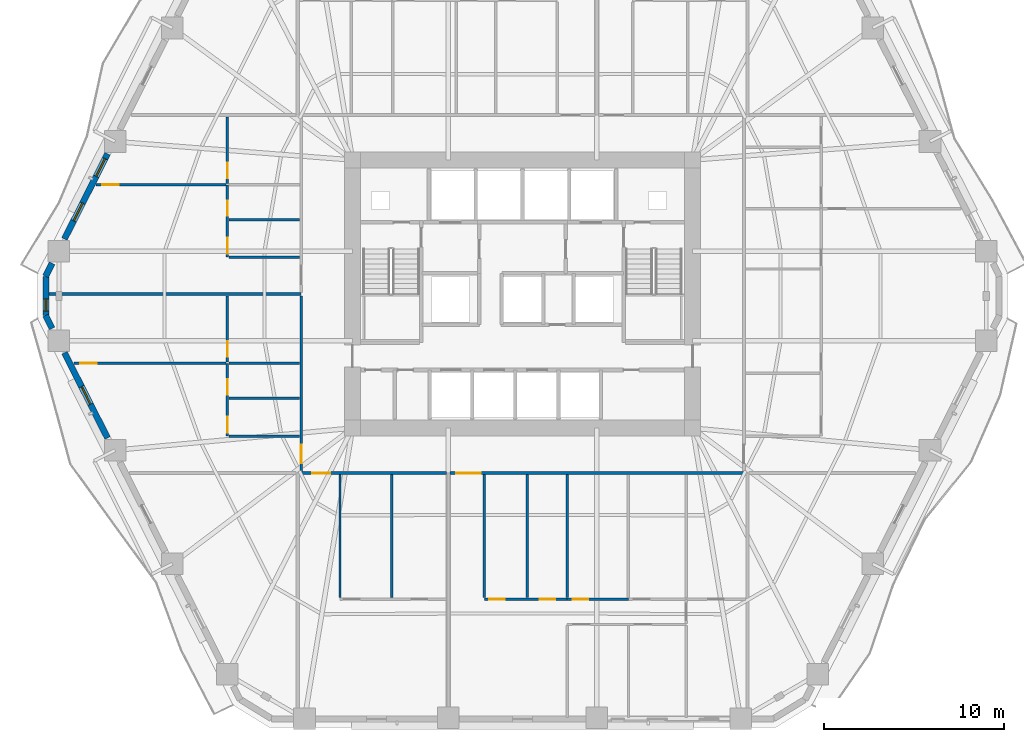
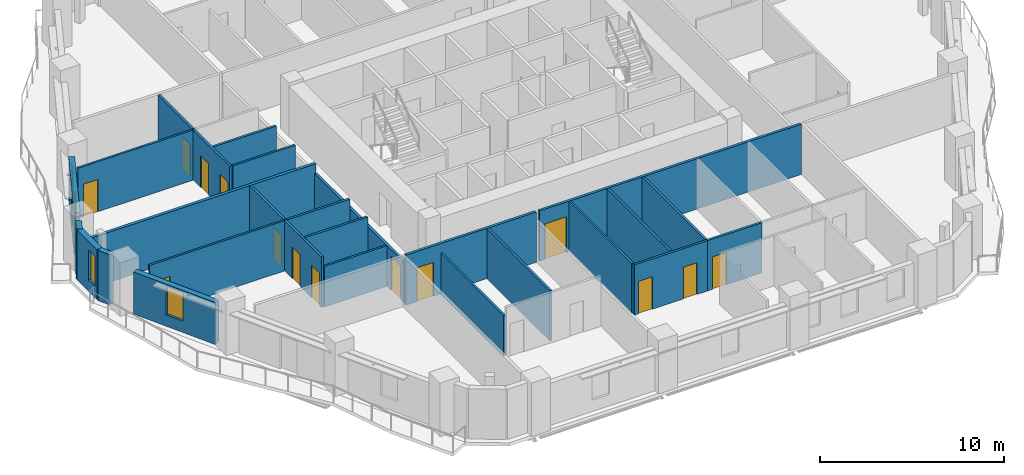
# One storey, part 4 of 14: 27 walls, 14 doors, 4 windows, 18 openings.
"""IFC4 building model written with IfcOpenShell, lengths in metres."""

from ifc_helpers import new_model, si_unit, direction, frame, frame_2d, origin, place, context, subcontext, project, spatial, rectangle, extrude, material, layer, layer_set, type_object, element, fill, save


model = new_model("IFC4")

# Units and contexts
model_context = context("Model", 3, precision=1e-05, world=origin(), true_north=direction((0.0, 1.0)))
body_context = subcontext(model_context, "Body", "Model", "MODEL_VIEW")
ifc_project = project(units=[si_unit("LENGTHUNIT", "METRE"), si_unit("AREAUNIT", "SQUARE_METRE"), si_unit("VOLUMEUNIT", "CUBIC_METRE"), si_unit("PLANEANGLEUNIT", "RADIAN"), si_unit("MASSUNIT", "GRAM", prefix="KILO")], contexts=[model_context])

# Site, building, storey
site_placement = place(None, origin())
site = spatial("IfcSite", under=ifc_project, at=site_placement, CompositionType="ELEMENT")
building_placement = place(site_placement, origin())
building = spatial("IfcBuilding", under=site, at=building_placement, Name="Cinnabar Lancet Tower", CompositionType="ELEMENT")
storey_placement = place(building_placement, frame((0.0, 0.0, 35.550048828125)))
storey = spatial("IfcBuildingStorey", under=building, at=storey_placement, Name="L08", CompositionType="ELEMENT", Elevation=35.550048828125)

# Wall, opening, door
ifc_material_1 = material(Name="Acoustic twin-stud gypsum partition", Category="gypsum")
ifc_layer_1 = layer(ifc_material_1, 0.159912109375)
ifc_layer_set_1 = layer_set([ifc_layer_1], Name="Acoustic twin-stud gypsum partition")
wall_type_1 = type_object("IfcWallType", Name="ARC-WL-CORR-160", PredefinedType="PARTITIONING", material=ifc_layer_set_1)
wall_1_placement = place(storey_placement, frame((19.9951171875, 15.949951171875, 0.0), z_axis=(0.0, 0.0, 1.0), x_axis=(1.0, 0.0, 0.0)))
wall_1 = element("IfcWall", 1, at=wall_1_placement, inside=storey, type_object=wall_type_1, Name="L08 Unit S01 Corridor Wall", PredefinedType="PARTITIONING", context=body_context, shape_type="SweptSolid", body=[
    extrude(rectangle(XDim=8.18798828125, YDim=0.159912109375, at=frame_2d((4.093994140625, 0.0))), origin(), (0.0, 0.0, 1.0), 3.329833984375),
])
opening_1_placement = place(wall_1_placement, frame((0.705078125, 0.0, 0.0)))
opening_1 = element("IfcOpeningElement", 2, at=opening_1_placement, cuts=wall_1, Name="Opening UD-01", PredefinedType="OPENING", context=body_context, shape_type="SweptSolid", body=[
    extrude(rectangle(XDim=1.02001953125, YDim=2.25, at=frame_2d((0.510009765625, 1.125))), frame((0.0, 0.08984375, 0.0), z_axis=(0.0, -1.0, 0.0), x_axis=(1.0, 0.0, 0.0)), (0.0, 0.0, 1.0), 0.179931640625),
])
ifc_material_2 = material(Name="Solid timber fire-rated apartment entrance door", Category="wood")
door_type_1 = type_object("IfcDoorType", Name="ARC-DR-UNIT", OperationType="NOTDEFINED", PredefinedType="DOOR", material=ifc_material_2)
door_1_placement = place(opening_1_placement, origin())
door_1 = element("IfcDoor", 3, at=door_1_placement, inside=storey, type_object=door_type_1, Name="DR-L08-S01-ENT", OperationType="SINGLE_SWING_RIGHT", OverallHeight=2.25, OverallWidth=1.02001953125, PredefinedType="DOOR", context=body_context, shape_type="SweptSolid", body=[
    extrude(rectangle(XDim=1.02001953125, YDim=2.25, at=frame_2d((0.510009765625, 1.125))), frame((0.0, 0.02490234375, 0.0), z_axis=(0.0, -1.0, 0.0), x_axis=(1.0, 0.0, 0.0)), (0.0, 0.0, 1.0), 0.050048828125),
])
fill(opening_1, door_1)

wall_2_placement = place(storey_placement, frame((28.373046875, 15.949951171875, 0.0), z_axis=(0.0, 0.0, 1.0), x_axis=(1.0, 0.0, 0.0)))
wall_2 = element("IfcWall", 4, at=wall_2_placement, inside=storey, type_object=wall_type_1, Name="L08 Unit S02 Corridor Wall", PredefinedType="PARTITIONING", context=body_context, shape_type="SweptSolid", body=[
    extrude(rectangle(XDim=16.431884765625, YDim=0.159912109375, at=frame_2d((8.2158203125, 0.0))), origin(), (0.0, 0.0, 1.0), 3.329833984375),
])
opening_2_placement = place(wall_2_placement, frame((0.35498046875, 0.0, 0.0)))
opening_2 = element("IfcOpeningElement", 5, at=opening_2_placement, cuts=wall_2, Name="Opening UD-02", PredefinedType="OPENING", context=body_context, shape_type="SweptSolid", body=[
    extrude(rectangle(XDim=1.35009765625, YDim=2.35009765625, at=frame_2d((0.675048828125, 1.175048828125))), frame((0.0, 0.08984375, 0.0), z_axis=(0.0, -1.0, 0.0), x_axis=(1.0, 0.0, 0.0)), (0.0, 0.0, 1.0), 0.179931640625),
])
ifc_material_3 = material(Name="Double-leaf solid timber penthouse entrance door", Category="wood")
door_type_2 = type_object("IfcDoorType", Name="ARC-DR-UNIT-PH", OperationType="NOTDEFINED", PredefinedType="DOOR", material=ifc_material_3)
door_2_placement = place(opening_2_placement, origin())
door_2 = element("IfcDoor", 6, at=door_2_placement, inside=storey, type_object=door_type_2, Name="DR-L08-S02-ENT", OperationType="SINGLE_SWING_LEFT", OverallHeight=2.35009765625, OverallWidth=1.35009765625, PredefinedType="DOOR", context=body_context, shape_type="SweptSolid", body=[
    extrude(rectangle(XDim=1.35009765625, YDim=2.35009765625, at=frame_2d((0.675048828125, 1.175048828125))), frame((0.0, 0.02490234375, 0.0), z_axis=(0.0, -1.0, 0.0), x_axis=(1.0, 0.0, 0.0)), (0.0, 0.0, 1.0), 0.050048828125),
])
fill(opening_2, door_2)

wall_3_placement = place(storey_placement, frame((20.10009765625, 16.044921875, 0.0), z_axis=(0.0, 0.0, 1.0), x_axis=(0.0, 1.0, 0.0)))
wall_3 = element("IfcWall", 7, at=wall_3_placement, inside=storey, type_object=wall_type_1, Name="UW-L08-W01-COR", PredefinedType="PARTITIONING", context=body_context, shape_type="SweptSolid", body=[
    extrude(rectangle(XDim=9.760009765625, YDim=0.159912109375, at=frame_2d((4.8798828125, 0.0))), origin(), (0.0, 0.0, 1.0), 2.699951171875),
])
opening_3_placement = place(wall_3_placement, frame((0.449951171875, 0.0, 0.0)))
opening_3 = element("IfcOpeningElement", 8, at=opening_3_placement, cuts=wall_3, Name="Opening UD-01", PredefinedType="OPENING", context=body_context, shape_type="SweptSolid", body=[
    extrude(rectangle(XDim=1.02001953125, YDim=2.25, at=frame_2d((0.510009765625, 1.125))), frame((0.0, 0.08984375, 0.0), z_axis=(0.0, -1.0, 0.0), x_axis=(1.0, 0.0, 0.0)), (0.0, 0.0, 1.0), 0.179931640625),
])
door_3_placement = place(opening_3_placement, origin())
door_3 = element("IfcDoor", 9, at=door_3_placement, inside=storey, type_object=door_type_1, Name="DR-L08-W01-ENT", OperationType="SINGLE_SWING_RIGHT", OverallHeight=2.25, OverallWidth=1.02001953125, PredefinedType="DOOR", context=body_context, shape_type="SweptSolid", body=[
    extrude(rectangle(XDim=1.02001953125, YDim=2.25, at=frame_2d((0.510009765625, 1.125))), frame((0.0, 0.02490234375, 0.0), z_axis=(0.0, -1.0, 0.0), x_axis=(1.0, 0.0, 0.0)), (0.0, 0.0, 1.0), 0.050048828125),
])
fill(opening_3, door_3)

# Walls
ifc_material_4 = material(Name="Fire-rated twin-frame acoustic drywall", Category="gypsum")
ifc_layer_2 = layer(ifc_material_4, 0.179931640625)
ifc_layer_set_2 = layer_set([ifc_layer_2], Name="Fire-rated twin-frame acoustic drywall")
wall_type_2 = type_object("IfcWallType", Name="ARC-WL-PARTY-180", PredefinedType="PARTITIONING", material=ifc_layer_set_2)
wall_4_placement = place(storey_placement, frame((6.0869140625, 25.89990234375, 0.0), z_axis=(0.0, 0.0, 1.0), x_axis=(1.0, 0.0, 0.0)))
element("IfcWall", 10, at=wall_4_placement, inside=storey, type_object=wall_type_2, Name="PW-L08-WPTY-1", PredefinedType="PARTITIONING", context=body_context, shape_type="SweptSolid", body=[
    extrude(rectangle(XDim=14.01318359375, YDim=0.179931640625, at=frame_2d((7.006591796875, 0.0))), origin(), (0.0, 0.0, 1.0), 3.329833984375),
])
ifc_material_5 = material(Name="Gypsum plasterboard stud partition", Category="gypsum")
ifc_layer_3 = layer(ifc_material_5, 0.125)
ifc_layer_set_3 = layer_set([ifc_layer_3], Name="Gypsum plasterboard stud partition")
wall_type_3 = type_object("IfcWallType", Name="ARC-WL-UNIT-125", PredefinedType="PARTITIONING", material=ifc_layer_set_3)
wall_5_placement = place(storey_placement, frame((22.25, 9.0380859375, 0.0), z_axis=(0.0, 0.0, 1.0), x_axis=(0.0, 1.0, 0.0)))
element("IfcWall", 11, at=wall_5_placement, inside=storey, type_object=wall_type_3, Name="UW-L08-S01-FOYE", PredefinedType="PARTITIONING", context=body_context, shape_type="SweptSolid", body=[
    extrude(rectangle(XDim=6.826904296875, YDim=0.125, at=frame_2d((3.41357421875, 0.0))), origin(), (0.0, 0.0, 1.0), 2.699951171875),
])
wall_6_placement = place(storey_placement, frame((30.278076171875, 9.0380859375, 0.0), z_axis=(0.0, 0.0, 1.0), x_axis=(0.0, 1.0, 0.0)))
element("IfcWall", 12, at=wall_6_placement, inside=storey, type_object=wall_type_3, Name="UW-L08-S02-FOYE", PredefinedType="PARTITIONING", context=body_context, shape_type="SweptSolid", body=[
    extrude(rectangle(XDim=6.826904296875, YDim=0.125, at=frame_2d((3.41357421875, 0.0))), origin(), (0.0, 0.0, 1.0), 3.329833984375),
])
wall_7_placement = place(storey_placement, frame((16.0849609375, 18.0, 0.0), z_axis=(0.0, 0.0, 1.0), x_axis=(1.0, 0.0, 0.0)))
element("IfcWall", 13, at=wall_7_placement, inside=storey, type_object=wall_type_3, Name="UW-L08-W01-FOYN", PredefinedType="PARTITIONING", context=body_context, shape_type="SweptSolid", body=[
    extrude(rectangle(XDim=3.929931640625, YDim=0.125, at=frame_2d((1.96484375, 0.0))), origin(), (0.0, 0.0, 1.0), 2.699951171875),
])

# Wall, opening, door
wall_8_placement = place(storey_placement, frame((7.4619140625, 22.050048828125, 0.0), z_axis=(0.0, 0.0, 1.0), x_axis=(1.0, 0.0, 0.0)))
wall_8 = element("IfcWall", 14, at=wall_8_placement, inside=storey, type_object=wall_type_3, Name="UW-L08-W01-MBN", PredefinedType="PARTITIONING", context=body_context, shape_type="SweptSolid", body=[
    extrude(rectangle(XDim=8.463134765625, YDim=0.125, at=frame_2d((4.2314453125, 0.0))), origin(), (0.0, 0.0, 1.0), 3.329833984375),
])
opening_4_placement = place(wall_8_placement, frame((0.35009765625, 0.0, 0.0)))
opening_4 = element("IfcOpeningElement", 15, at=opening_4_placement, cuts=wall_8, Name="Opening RD-01", PredefinedType="OPENING", context=body_context, shape_type="SweptSolid", body=[
    extrude(rectangle(XDim=0.919921875, YDim=2.14990234375, at=frame_2d((0.4599609375, 1.074951171875))), frame((0.0, 0.072509765625, 0.0), z_axis=(0.0, -1.0, 0.0), x_axis=(1.0, 0.0, 0.0)), (0.0, 0.0, 1.0), 0.14501953125),
])
ifc_material_6 = material(Name="Engineered timber bedroom door", Category="wood")
door_type_3 = type_object("IfcDoorType", Name="ARC-DR-ROOM", OperationType="NOTDEFINED", PredefinedType="DOOR", material=ifc_material_6)
door_4_placement = place(opening_4_placement, origin())
door_4 = element("IfcDoor", 16, at=door_4_placement, inside=storey, type_object=door_type_3, Name="DR-L08-W01-MBD", OperationType="SINGLE_SWING_RIGHT", OverallHeight=2.14990234375, OverallWidth=0.919921875, PredefinedType="DOOR", context=body_context, shape_type="SweptSolid", body=[
    extrude(rectangle(XDim=0.919921875, YDim=2.14990234375, at=frame_2d((0.4599609375, 1.074951171875))), frame((0.0, 0.02490234375, 0.0), z_axis=(0.0, -1.0, 0.0), x_axis=(1.0, 0.0, 0.0)), (0.0, 0.0, 1.0), 0.050048828125),
])
fill(opening_4, door_4)

# Wall
wall_9_placement = place(storey_placement, frame((16.0849609375, 27.949951171875, 0.0), z_axis=(0.0, 0.0, 1.0), x_axis=(1.0, 0.0, 0.0)))
element("IfcWall", 17, at=wall_9_placement, inside=storey, type_object=wall_type_3, Name="UW-L08-W02-FOYN", PredefinedType="PARTITIONING", context=body_context, shape_type="SweptSolid", body=[
    extrude(rectangle(XDim=3.929931640625, YDim=0.125, at=frame_2d((1.96484375, 0.0))), origin(), (0.0, 0.0, 1.0), 3.329833984375),
])

# Wall, opening, door
wall_10_placement = place(storey_placement, frame((8.68603515625, 31.969970703125, 0.0), z_axis=(0.0, 0.0, 1.0), x_axis=(1.0, 0.0, 0.0)))
wall_10 = element("IfcWall", 18, at=wall_10_placement, inside=storey, type_object=wall_type_3, Name="UW-L08-W02-MBN", PredefinedType="PARTITIONING", context=body_context, shape_type="SweptSolid", body=[
    extrude(rectangle(XDim=7.239013671875, YDim=0.125, at=frame_2d((3.61962890625, 0.0))), origin(), (0.0, 0.0, 1.0), 3.329833984375),
])
opening_5_placement = place(wall_10_placement, frame((0.35009765625, 0.0, 0.0)))
opening_5 = element("IfcOpeningElement", 19, at=opening_5_placement, cuts=wall_10, Name="Opening RD-01", PredefinedType="OPENING", context=body_context, shape_type="SweptSolid", body=[
    extrude(rectangle(XDim=0.919921875, YDim=2.14990234375, at=frame_2d((0.4599609375, 1.074951171875))), frame((0.0, 0.072509765625, 0.0), z_axis=(0.0, -1.0, 0.0), x_axis=(1.0, 0.0, 0.0)), (0.0, 0.0, 1.0), 0.14501953125),
])
door_5_placement = place(opening_5_placement, origin())
door_5 = element("IfcDoor", 20, at=door_5_placement, inside=storey, type_object=door_type_3, Name="DR-L08-W02-MBD", OperationType="SINGLE_SWING_LEFT", OverallHeight=2.14990234375, OverallWidth=0.919921875, PredefinedType="DOOR", context=body_context, shape_type="SweptSolid", body=[
    extrude(rectangle(XDim=0.919921875, YDim=2.14990234375, at=frame_2d((0.4599609375, 1.074951171875))), frame((0.0, 0.02490234375, 0.0), z_axis=(0.0, -1.0, 0.0), x_axis=(1.0, 0.0, 0.0)), (0.0, 0.0, 1.0), 0.050048828125),
])
fill(opening_5, door_5)

# Wall
ifc_material_7 = material(Name="Moisture-resistant cement-board plumbing wall", Category="masonry")
ifc_layer_4 = layer(ifc_material_7, 0.139892578125)
ifc_layer_set_4 = layer_set([ifc_layer_4], Name="Moisture-resistant cement-board plumbing wall")
wall_type_4 = type_object("IfcWallType", Name="ARC-WL-WET-140", PredefinedType="PLUMBINGWALL", material=ifc_layer_set_4)
wall_11_placement = place(storey_placement, frame((25.14306640625, 9.0380859375, 0.0), z_axis=(0.0, 0.0, 1.0), x_axis=(0.0, 1.0, 0.0)))
element("IfcWall", 21, at=wall_11_placement, inside=storey, type_object=wall_type_4, Name="UW-L08-S01-KDV", PredefinedType="PLUMBINGWALL", context=body_context, shape_type="SweptSolid", body=[
    extrude(rectangle(XDim=6.826904296875, YDim=0.139892578125, at=frame_2d((3.41357421875, 0.0))), origin(), (0.0, 0.0, 1.0), 3.329833984375),
])

# Wall, openings, doors
wall_12_placement = place(storey_placement, frame((30.278076171875, 8.93310546875, 0.0), z_axis=(0.0, 0.0, 1.0), x_axis=(1.0, 0.0, 0.0)))
wall_12 = element("IfcWall", 22, at=wall_12_placement, inside=storey, type_object=wall_type_4, Name="UW-L08-S02-SPL", PredefinedType="PLUMBINGWALL", context=body_context, shape_type="SweptSolid", body=[
    extrude(rectangle(XDim=4.599853515625, YDim=0.139892578125, at=frame_2d((2.2998046875, 0.0))), origin(), (0.0, 0.0, 1.0), 3.329833984375),
])
opening_6_placement = place(wall_12_placement, frame((3.071044921875, 0.0, 0.0)))
opening_6 = element("IfcOpeningElement", 23, at=opening_6_placement, cuts=wall_12, Name="Opening BD-01", PredefinedType="OPENING", context=body_context, shape_type="SweptSolid", body=[
    extrude(rectangle(XDim=0.860107421875, YDim=2.10009765625, at=frame_2d((0.43017578125, 1.050048828125))), frame((0.0, 0.079833984375, 0.0), z_axis=(0.0, -1.0, 0.0), x_axis=(1.0, 0.0, 0.0)), (0.0, 0.0, 1.0), 0.159912109375),
])
opening_7_placement = place(wall_12_placement, frame((0.260009765625, 0.0, 0.0)))
opening_7 = element("IfcOpeningElement", 24, at=opening_7_placement, cuts=wall_12, Name="Opening RD-02", PredefinedType="OPENING", context=body_context, shape_type="SweptSolid", body=[
    extrude(rectangle(XDim=0.8798828125, YDim=2.14990234375, at=frame_2d((0.43994140625, 1.074951171875))), frame((0.0, 0.079833984375, 0.0), z_axis=(0.0, -1.0, 0.0), x_axis=(1.0, 0.0, 0.0)), (0.0, 0.0, 1.0), 0.159912109375),
])
ifc_material_8 = material(Name="Moisture-resistant timber bathroom door", Category="wood")
door_type_4 = type_object("IfcDoorType", Name="ARC-DR-BATH", OperationType="NOTDEFINED", PredefinedType="DOOR", material=ifc_material_8)
door_6_placement = place(opening_6_placement, origin())
door_6 = element("IfcDoor", 25, at=door_6_placement, inside=storey, type_object=door_type_4, Name="DR-L08-S02-BTH", OperationType="SINGLE_SWING_LEFT", OverallHeight=2.10009765625, OverallWidth=0.860107421875, PredefinedType="DOOR", context=body_context, shape_type="SweptSolid", body=[
    extrude(rectangle(XDim=0.860107421875, YDim=2.10009765625, at=frame_2d((0.43017578125, 1.050048828125))), frame((0.0, 0.02490234375, 0.0), z_axis=(0.0, -1.0, 0.0), x_axis=(1.0, 0.0, 0.0)), (0.0, 0.0, 1.0), 0.050048828125),
])
fill(opening_6, door_6)
ifc_material_9 = material(Name="Engineered timber study door", Category="wood")
door_type_5 = type_object("IfcDoorType", Name="ARC-DR-STUDY", OperationType="NOTDEFINED", PredefinedType="DOOR", material=ifc_material_9)
door_7_placement = place(opening_7_placement, origin())
door_7 = element("IfcDoor", 26, at=door_7_placement, inside=storey, type_object=door_type_5, Name="DR-L08-S02-KIT", OperationType="SINGLE_SWING_RIGHT", OverallHeight=2.14990234375, OverallWidth=0.8798828125, PredefinedType="DOOR", context=body_context, shape_type="SweptSolid", body=[
    extrude(rectangle(XDim=0.8798828125, YDim=2.14990234375, at=frame_2d((0.43994140625, 1.074951171875))), frame((0.0, 0.02490234375, 0.0), z_axis=(0.0, -1.0, 0.0), x_axis=(1.0, 0.0, 0.0)), (0.0, 0.0, 1.0), 0.050048828125),
])
fill(opening_7, door_7)

# Wall, opening, door
wall_13_placement = place(storey_placement, frame((34.8779296875, 8.93310546875, 0.0), z_axis=(0.0, 0.0, 1.0), x_axis=(1.0, 0.0, 0.0)))
wall_13 = element("IfcWall", 27, at=wall_13_placement, inside=storey, type_object=wall_type_4, Name="UW-L08-S02-SPM", PredefinedType="PLUMBINGWALL", context=body_context, shape_type="SweptSolid", body=[
    extrude(rectangle(XDim=3.406982421875, YDim=0.139892578125, at=frame_2d((1.70361328125, 0.0))), origin(), (0.0, 0.0, 1.0), 3.329833984375),
])
opening_8_placement = place(wall_13_placement, frame((0.300048828125, 0.0, 0.0)))
opening_8 = element("IfcOpeningElement", 28, at=opening_8_placement, cuts=wall_13, Name="Opening RD-02", PredefinedType="OPENING", context=body_context, shape_type="SweptSolid", body=[
    extrude(rectangle(XDim=0.8798828125, YDim=2.14990234375, at=frame_2d((0.43994140625, 1.074951171875))), frame((0.0, 0.079833984375, 0.0), z_axis=(0.0, -1.0, 0.0), x_axis=(1.0, 0.0, 0.0)), (0.0, 0.0, 1.0), 0.159912109375),
])
door_8_placement = place(opening_8_placement, origin())
door_8 = element("IfcDoor", 29, at=door_8_placement, inside=storey, type_object=door_type_5, Name="DR-L08-S02-UTL", OperationType="SINGLE_SWING_LEFT", OverallHeight=2.14990234375, OverallWidth=0.8798828125, PredefinedType="DOOR", context=body_context, shape_type="SweptSolid", body=[
    extrude(rectangle(XDim=0.8798828125, YDim=2.14990234375, at=frame_2d((0.43994140625, 1.074951171875))), frame((0.0, 0.02490234375, 0.0), z_axis=(0.0, -1.0, 0.0), x_axis=(1.0, 0.0, 0.0)), (0.0, 0.0, 1.0), 0.050048828125),
])
fill(opening_8, door_8)

# Walls
for number, where, z_axis, x_axis, name in (
    (30, (32.669921875, 9.0380859375, 0.0), (0.0, 0.0, 1.0), (0.0, 1.0, 0.0), "UW-L08-S02-KDV"),
    (31, (34.8779296875, 9.0380859375, 0.0), (0.0, 0.0, 1.0), (0.0, 1.0, 0.0), "UW-L08-S02-ENSW"),
):
    element("IfcWall", number, at=place(storey_placement, frame(where, z_axis=z_axis, x_axis=x_axis)), inside=storey, type_object=wall_type_4, Name=name, PredefinedType="PLUMBINGWALL", context=body_context, shape_type="SweptSolid", body=[
        extrude(rectangle(XDim=6.826904296875, YDim=0.139892578125, at=frame_2d((3.41357421875, 0.0))), origin(), (0.0, 0.0, 1.0), 3.329833984375),
    ])

# Wall, openings, doors
wall_14_placement = place(storey_placement, frame((16.0, 18.0, 0.0), z_axis=(0.0, 0.0, 1.0), x_axis=(0.0, 1.0, 0.0)))
wall_14 = element("IfcWall", 32, at=wall_14_placement, inside=storey, type_object=wall_type_4, Name="UW-L08-W01-SPL", PredefinedType="PLUMBINGWALL", context=body_context, shape_type="SweptSolid", body=[
    extrude(rectangle(XDim=4.050048828125, YDim=0.139892578125, at=frame_2d((2.02490234375, 0.0))), origin(), (0.0, 0.0, 1.0), 3.329833984375),
])
opening_9_placement = place(wall_14_placement, frame((0.199951171875, 0.0, 0.0)))
opening_9 = element("IfcOpeningElement", 33, at=opening_9_placement, cuts=wall_14, Name="Opening RD-02", PredefinedType="OPENING", context=body_context, shape_type="SweptSolid", body=[
    extrude(rectangle(XDim=0.8798828125, YDim=2.14990234375, at=frame_2d((0.43994140625, 1.074951171875))), frame((0.0, 0.079833984375, 0.0), z_axis=(0.0, -1.0, 0.0), x_axis=(1.0, 0.0, 0.0)), (0.0, 0.0, 1.0), 0.159912109375),
])
opening_10_placement = place(wall_14_placement, frame((2.305908203125, 0.0, 0.0)))
opening_10 = element("IfcOpeningElement", 34, at=opening_10_placement, cuts=wall_14, Name="Opening BD-01", PredefinedType="OPENING", context=body_context, shape_type="SweptSolid", body=[
    extrude(rectangle(XDim=0.860107421875, YDim=2.10009765625, at=frame_2d((0.43017578125, 1.050048828125))), frame((0.0, 0.079833984375, 0.0), z_axis=(0.0, -1.0, 0.0), x_axis=(1.0, 0.0, 0.0)), (0.0, 0.0, 1.0), 0.159912109375),
])
door_9_placement = place(opening_10_placement, origin())
door_9 = element("IfcDoor", 35, at=door_9_placement, inside=storey, type_object=door_type_4, Name="DR-L08-W01-BTH", OperationType="SINGLE_SWING_RIGHT", OverallHeight=2.10009765625, OverallWidth=0.860107421875, PredefinedType="DOOR", context=body_context, shape_type="SweptSolid", body=[
    extrude(rectangle(XDim=0.860107421875, YDim=2.10009765625, at=frame_2d((0.43017578125, 1.050048828125))), frame((0.0, 0.02490234375, 0.0), z_axis=(0.0, -1.0, 0.0), x_axis=(1.0, 0.0, 0.0)), (0.0, 0.0, 1.0), 0.050048828125),
])
fill(opening_10, door_9)
door_10_placement = place(opening_9_placement, origin())
door_10 = element("IfcDoor", 36, at=door_10_placement, inside=storey, type_object=door_type_5, Name="DR-L08-W01-KIT", OperationType="SINGLE_SWING_LEFT", OverallHeight=2.14990234375, OverallWidth=0.8798828125, PredefinedType="DOOR", context=body_context, shape_type="SweptSolid", body=[
    extrude(rectangle(XDim=0.8798828125, YDim=2.14990234375, at=frame_2d((0.43994140625, 1.074951171875))), frame((0.0, 0.02490234375, 0.0), z_axis=(0.0, -1.0, 0.0), x_axis=(1.0, 0.0, 0.0)), (0.0, 0.0, 1.0), 0.050048828125),
])
fill(opening_9, door_10)

# Wall, opening, door
wall_15_placement = place(storey_placement, frame((16.0, 22.1201171875, 0.0), z_axis=(0.0, 0.0, 1.0), x_axis=(0.0, 1.0, 0.0)))
wall_15 = element("IfcWall", 37, at=wall_15_placement, inside=storey, type_object=wall_type_4, Name="UW-L08-W01-SPM", PredefinedType="PLUMBINGWALL", context=body_context, shape_type="SweptSolid", body=[
    extrude(rectangle(XDim=3.684814453125, YDim=0.139892578125, at=frame_2d((1.84228515625, 0.0))), origin(), (0.0, 0.0, 1.0), 3.329833984375),
])
opening_11_placement = place(wall_15_placement, frame((0.300048828125, 0.0, 0.0)))
opening_11 = element("IfcOpeningElement", 38, at=opening_11_placement, cuts=wall_15, Name="Opening BD-01", PredefinedType="OPENING", context=body_context, shape_type="SweptSolid", body=[
    extrude(rectangle(XDim=0.860107421875, YDim=2.10009765625, at=frame_2d((0.43017578125, 1.050048828125))), frame((0.0, 0.079833984375, 0.0), z_axis=(0.0, -1.0, 0.0), x_axis=(1.0, 0.0, 0.0)), (0.0, 0.0, 1.0), 0.159912109375),
])
door_11_placement = place(opening_11_placement, origin())
door_11 = element("IfcDoor", 39, at=door_11_placement, inside=storey, type_object=door_type_4, Name="DR-L08-W01-ENS", OperationType="SINGLE_SWING_RIGHT", OverallHeight=2.10009765625, OverallWidth=0.860107421875, PredefinedType="DOOR", context=body_context, shape_type="SweptSolid", body=[
    extrude(rectangle(XDim=0.860107421875, YDim=2.10009765625, at=frame_2d((0.43017578125, 1.050048828125))), frame((0.0, 0.02490234375, 0.0), z_axis=(0.0, -1.0, 0.0), x_axis=(1.0, 0.0, 0.0)), (0.0, 0.0, 1.0), 0.050048828125),
])
fill(opening_11, door_11)

# Walls
for number, where, z_axis, x_axis, name in (
    (40, (16.0849609375, 22.050048828125, 0.0), (0.0, 0.0, 1.0), (1.0, 0.0, 0.0), "UW-L08-W01-ENSN"),
    (41, (16.0849609375, 20.10595703125, 0.0), (0.0, 0.0, 1.0), (1.0, 0.0, 0.0), "UW-L08-W01-KDV"),
):
    element("IfcWall", number, at=place(storey_placement, frame(where, z_axis=z_axis, x_axis=x_axis)), inside=storey, type_object=wall_type_4, Name=name, PredefinedType="PLUMBINGWALL", context=body_context, shape_type="SweptSolid", body=[
        extrude(rectangle(XDim=3.929931640625, YDim=0.139892578125, at=frame_2d((1.96484375, 0.0))), origin(), (0.0, 0.0, 1.0), 3.329833984375),
    ])

# Wall, openings, doors
wall_16_placement = place(storey_placement, frame((16.0, 27.949951171875, 0.0), z_axis=(0.0, 0.0, 1.0), x_axis=(0.0, 1.0, 0.0)))
wall_16 = element("IfcWall", 42, at=wall_16_placement, inside=storey, type_object=wall_type_4, Name="UW-L08-W02-SPL", PredefinedType="PLUMBINGWALL", context=body_context, shape_type="SweptSolid", body=[
    extrude(rectangle(XDim=4.02001953125, YDim=0.139892578125, at=frame_2d((2.010009765625, 0.0))), origin(), (0.0, 0.0, 1.0), 3.329833984375),
])
opening_12_placement = place(wall_16_placement, frame((0.199951171875, 0.0, 0.0)))
opening_12 = element("IfcOpeningElement", 43, at=opening_12_placement, cuts=wall_16, Name="Opening RD-02", PredefinedType="OPENING", context=body_context, shape_type="SweptSolid", body=[
    extrude(rectangle(XDim=0.8798828125, YDim=2.14990234375, at=frame_2d((0.43994140625, 1.074951171875))), frame((0.0, 0.079833984375, 0.0), z_axis=(0.0, -1.0, 0.0), x_axis=(1.0, 0.0, 0.0)), (0.0, 0.0, 1.0), 0.159912109375),
])
opening_13_placement = place(wall_16_placement, frame((2.2900390625, 0.0, 0.0)))
opening_13 = element("IfcOpeningElement", 44, at=opening_13_placement, cuts=wall_16, Name="Opening BD-01", PredefinedType="OPENING", context=body_context, shape_type="SweptSolid", body=[
    extrude(rectangle(XDim=0.860107421875, YDim=2.10009765625, at=frame_2d((0.43017578125, 1.050048828125))), frame((0.0, 0.079833984375, 0.0), z_axis=(0.0, -1.0, 0.0), x_axis=(1.0, 0.0, 0.0)), (0.0, 0.0, 1.0), 0.159912109375),
])
door_12_placement = place(opening_13_placement, origin())
door_12 = element("IfcDoor", 45, at=door_12_placement, inside=storey, type_object=door_type_4, Name="DR-L08-W02-BTH", OperationType="SINGLE_SWING_LEFT", OverallHeight=2.10009765625, OverallWidth=0.860107421875, PredefinedType="DOOR", context=body_context, shape_type="SweptSolid", body=[
    extrude(rectangle(XDim=0.860107421875, YDim=2.10009765625, at=frame_2d((0.43017578125, 1.050048828125))), frame((0.0, 0.02490234375, 0.0), z_axis=(0.0, -1.0, 0.0), x_axis=(1.0, 0.0, 0.0)), (0.0, 0.0, 1.0), 0.050048828125),
])
fill(opening_13, door_12)
door_13_placement = place(opening_12_placement, origin())
door_13 = element("IfcDoor", 46, at=door_13_placement, inside=storey, type_object=door_type_5, Name="DR-L08-W02-KIT", OperationType="SINGLE_SWING_RIGHT", OverallHeight=2.14990234375, OverallWidth=0.8798828125, PredefinedType="DOOR", context=body_context, shape_type="SweptSolid", body=[
    extrude(rectangle(XDim=0.8798828125, YDim=2.14990234375, at=frame_2d((0.43994140625, 1.074951171875))), frame((0.0, 0.02490234375, 0.0), z_axis=(0.0, -1.0, 0.0), x_axis=(1.0, 0.0, 0.0)), (0.0, 0.0, 1.0), 0.050048828125),
])
fill(opening_12, door_13)

# Wall, opening, door
wall_17_placement = place(storey_placement, frame((16.0, 32.0400390625, 0.0), z_axis=(0.0, 0.0, 1.0), x_axis=(0.0, 1.0, 0.0)))
wall_17 = element("IfcWall", 47, at=wall_17_placement, inside=storey, type_object=wall_type_4, Name="UW-L08-W02-SPM", PredefinedType="PLUMBINGWALL", context=body_context, shape_type="SweptSolid", body=[
    extrude(rectangle(XDim=3.71484375, YDim=0.139892578125, at=frame_2d((1.857421875, 0.0))), origin(), (0.0, 0.0, 1.0), 3.329833984375),
])
opening_14_placement = place(wall_17_placement, frame((0.300048828125, 0.0, 0.0)))
opening_14 = element("IfcOpeningElement", 48, at=opening_14_placement, cuts=wall_17, Name="Opening BD-01", PredefinedType="OPENING", context=body_context, shape_type="SweptSolid", body=[
    extrude(rectangle(XDim=0.860107421875, YDim=2.10009765625, at=frame_2d((0.43017578125, 1.050048828125))), frame((0.0, 0.079833984375, 0.0), z_axis=(0.0, -1.0, 0.0), x_axis=(1.0, 0.0, 0.0)), (0.0, 0.0, 1.0), 0.159912109375),
])
door_14_placement = place(opening_14_placement, origin())
door_14 = element("IfcDoor", 49, at=door_14_placement, inside=storey, type_object=door_type_4, Name="DR-L08-W02-ENS", OperationType="SINGLE_SWING_LEFT", OverallHeight=2.10009765625, OverallWidth=0.860107421875, PredefinedType="DOOR", context=body_context, shape_type="SweptSolid", body=[
    extrude(rectangle(XDim=0.860107421875, YDim=2.10009765625, at=frame_2d((0.43017578125, 1.050048828125))), frame((0.0, 0.02490234375, 0.0), z_axis=(0.0, -1.0, 0.0), x_axis=(1.0, 0.0, 0.0)), (0.0, 0.0, 1.0), 0.050048828125),
])
fill(opening_14, door_14)

# Wall
wall_18_placement = place(storey_placement, frame((16.0849609375, 30.0400390625, 0.0), z_axis=(0.0, 0.0, 1.0), x_axis=(1.0, 0.0, 0.0)))
element("IfcWall", 50, at=wall_18_placement, inside=storey, type_object=wall_type_4, Name="UW-L08-W02-KDV", PredefinedType="PLUMBINGWALL", context=body_context, shape_type="SweptSolid", body=[
    extrude(rectangle(XDim=3.929931640625, YDim=0.139892578125, at=frame_2d((1.96484375, 0.0))), origin(), (0.0, 0.0, 1.0), 3.329833984375),
])

# Wall, opening, window
ifc_material_10 = material(Name="Cinnabar red clay brick", Category="masonry")
ifc_layer_5 = layer(ifc_material_10, 0.340087890625)
ifc_layer_set_5 = layer_set([ifc_layer_5], Name="Cinnabar red clay brick")
wall_type_5 = type_object("IfcWallType", Name="ENV-WL-BRK-RED-340", PredefinedType="STANDARD", material=ifc_layer_set_5)
wall_19_placement = place(storey_placement, frame((5.912109375, 26.885986328125, 0.0), z_axis=(0.0, 0.0, 1.0), x_axis=(0.0, -1.0, 0.0)))
wall_19 = element("IfcWall", 51, at=wall_19_placement, inside=storey, type_object=wall_type_5, Name="L08 Chamfered Corner Brick Pier 6.1", PredefinedType="STANDARD", context=body_context, shape_type="SweptSolid", body=[
    extrude(rectangle(XDim=2.171875, YDim=0.340087890625, at=frame_2d((1.0859375, 0.0))), origin(), (0.0, 0.0, 1.0), 3.329833984375),
])
opening_15_placement = place(wall_19_placement, frame((1.24609375, 0.0, 0.75)))
opening_15 = element("IfcOpeningElement", 52, at=opening_15_placement, cuts=wall_19, Name="Opening WN-04", PredefinedType="OPENING", context=body_context, shape_type="SweptSolid", body=[
    extrude(rectangle(XDim=0.68603515625, YDim=2.0, at=frame_2d((0.343017578125, 1.0))), frame((0.0, 0.179931640625, 0.0), z_axis=(0.0, -1.0, 0.0), x_axis=(1.0, 0.0, 0.0)), (0.0, 0.0, 1.0), 0.360107421875),
])
ifc_material_11 = material(Name="Thermally broken bronze-anodized aluminium tall lancet window", Category="aluminium")
window_type = type_object("IfcWindowType", Name="ENV-WN-LANCET-1100", PartitioningType="SINGLE_PANEL", PredefinedType="WINDOW", material=ifc_material_11)
window_1_placement = place(opening_15_placement, origin())
window_1 = element("IfcWindow", 53, at=window_1_placement, inside=storey, type_object=window_type, Name="L08 Dwelling Gothic Lancet Window 301", OverallHeight=2.0, OverallWidth=0.68603515625, PartitioningType="SINGLE_PANEL", PredefinedType="WINDOW", context=body_context, shape_type="SweptSolid", body=[
    extrude(rectangle(XDim=0.68603515625, YDim=2.0, at=frame_2d((0.343017578125, 1.0))), frame((0.0, 0.030029296875, 0.0), z_axis=(0.0, -1.0, 0.0), x_axis=(1.0, 0.0, 0.0)), (0.0, 0.0, 1.0), 0.06005859375),
])
fill(opening_15, window_1)

# Wall, openings, windows
wall_20_placement = place(storey_placement, frame((9.3349609375, 33.698974609375, 0.0), z_axis=(0.0, 0.0, 1.0), x_axis=(-0.451590635984, -0.892225250422, 0.0)))
wall_20 = element("IfcWall", 54, at=wall_20_placement, inside=storey, type_object=wall_type_5, Name="L08 Face 5 Masonry Bay Wall 4", PredefinedType="STANDARD", context=body_context, shape_type="SweptSolid", body=[
    extrude(rectangle(XDim=5.303466796875, YDim=0.340087890625, at=frame_2d((2.65185546875, 0.0))), origin(), (0.0, 0.0, 1.0), 2.786865234375),
])
opening_16_placement = place(wall_20_placement, frame((0.30810546875, 0.0, 0.75)))
opening_16 = element("IfcOpeningElement", 55, at=opening_16_placement, cuts=wall_20, Name="Opening WN-04", PredefinedType="OPENING", context=body_context, shape_type="SweptSolid", body=[
    extrude(rectangle(XDim=1.10009765625, YDim=1.886962890625, at=frame_2d((0.550048828125, 0.943359375))), frame((0.0, 0.179931640625, 0.0), z_axis=(0.0, -1.0, 0.0), x_axis=(1.0, 0.0, 0.0)), (0.0, 0.0, 1.0), 0.360107421875),
])
opening_17_placement = place(wall_20_placement, frame((3.080078125, 0.0, 0.75)))
opening_17 = element("IfcOpeningElement", 56, at=opening_17_placement, cuts=wall_20, Name="Opening WN-04", PredefinedType="OPENING", context=body_context, shape_type="SweptSolid", body=[
    extrude(rectangle(XDim=1.10009765625, YDim=1.886962890625, at=frame_2d((0.550048828125, 0.943359375))), frame((0.0, 0.179931640625, 0.0), z_axis=(0.0, -1.0, 0.0), x_axis=(1.0, 0.0, 0.0)), (0.0, 0.0, 1.0), 0.360107421875),
])
window_2_placement = place(opening_16_placement, origin())
window_2 = element("IfcWindow", 57, at=window_2_placement, inside=storey, type_object=window_type, Name="L08 Face 5 Gothic Lancet Window 4", OverallHeight=1.886962890625, OverallWidth=1.10009765625, PartitioningType="SINGLE_PANEL", PredefinedType="WINDOW", context=body_context, shape_type="SweptSolid", body=[
    extrude(rectangle(XDim=1.10009765625, YDim=1.886962890625, at=frame_2d((0.550048828125, 0.943359375))), frame((0.0, 0.030029296875, 0.0), z_axis=(0.0, -1.0, 0.0), x_axis=(1.0, 0.0, 0.0)), (0.0, 0.0, 1.0), 0.06005859375),
])
fill(opening_16, window_2)
window_3_placement = place(opening_17_placement, origin())
window_3 = element("IfcWindow", 58, at=window_3_placement, inside=storey, type_object=window_type, Name="L08 Split-Bay Gothic Lancet Window 15", OverallHeight=1.886962890625, OverallWidth=1.10009765625, PartitioningType="SINGLE_PANEL", PredefinedType="WINDOW", context=body_context, shape_type="SweptSolid", body=[
    extrude(rectangle(XDim=1.10009765625, YDim=1.886962890625, at=frame_2d((0.550048828125, 0.943359375))), frame((0.0, 0.030029296875, 0.0), z_axis=(0.0, -1.0, 0.0), x_axis=(1.0, 0.0, 0.0)), (0.0, 0.0, 1.0), 0.06005859375),
])
fill(opening_17, window_3)

# Walls
for number, where, z_axis, x_axis, name in (
    (59, (6.251953125, 27.60498046875, 0.0), (0.0, 0.0, 1.0), (-0.452101093511, -0.891966704113, 0.0), "L08 Face 5 Masonry Bay Wall 5"),
    (60, (5.89111328125, 24.70703125, 0.0), (0.0, 0.0, 1.0), (0.452101093511, -0.891966704113, 0.0), "L08 Face 6 Masonry Bay Wall 1"),
):
    element("IfcWall", number, at=place(storey_placement, frame(where, z_axis=z_axis, x_axis=x_axis)), inside=storey, type_object=wall_type_5, Name=name, PredefinedType="STANDARD", context=body_context, shape_type="SweptSolid", body=[
        extrude(rectangle(XDim=0.798095703125, YDim=0.340087890625, at=frame_2d((0.39892578125, 0.0))), origin(), (0.0, 0.0, 1.0), 3.329833984375),
    ])

# Wall, opening, window
wall_21_placement = place(storey_placement, frame((6.93994140625, 22.633056640625, 0.0), z_axis=(0.0, 0.0, 1.0), x_axis=(0.451572088722, -0.892234637686, 0.0)))
wall_21 = element("IfcWall", 61, at=wall_21_placement, inside=storey, type_object=wall_type_5, Name="L08 Face 6 Masonry Bay Wall 2", PredefinedType="STANDARD", context=body_context, shape_type="SweptSolid", body=[
    extrude(rectangle(XDim=5.3037109375, YDim=0.340087890625, at=frame_2d((2.65185546875, 0.0))), origin(), (0.0, 0.0, 1.0), 2.786865234375),
])
opening_18_placement = place(wall_21_placement, frame((2.10205078125, 0.0, 0.75)))
opening_18 = element("IfcOpeningElement", 62, at=opening_18_placement, cuts=wall_21, Name="Opening WN-04", PredefinedType="OPENING", context=body_context, shape_type="SweptSolid", body=[
    extrude(rectangle(XDim=1.10009765625, YDim=1.886962890625, at=frame_2d((0.550048828125, 0.943359375))), frame((0.0, 0.179931640625, 0.0), z_axis=(0.0, -1.0, 0.0), x_axis=(1.0, 0.0, 0.0)), (0.0, 0.0, 1.0), 0.360107421875),
])
window_4_placement = place(opening_18_placement, origin())
window_4 = element("IfcWindow", 63, at=window_4_placement, inside=storey, type_object=window_type, Name="L08 Face 6 Gothic Lancet Window 2", OverallHeight=1.886962890625, OverallWidth=1.10009765625, PartitioningType="SINGLE_PANEL", PredefinedType="WINDOW", context=body_context, shape_type="SweptSolid", body=[
    extrude(rectangle(XDim=1.10009765625, YDim=1.886962890625, at=frame_2d((0.550048828125, 0.943359375))), frame((0.0, 0.030029296875, 0.0), z_axis=(0.0, -1.0, 0.0), x_axis=(1.0, 0.0, 0.0)), (0.0, 0.0, 1.0), 0.06005859375),
])
fill(opening_18, window_4)

save(model, "model.ifc")
